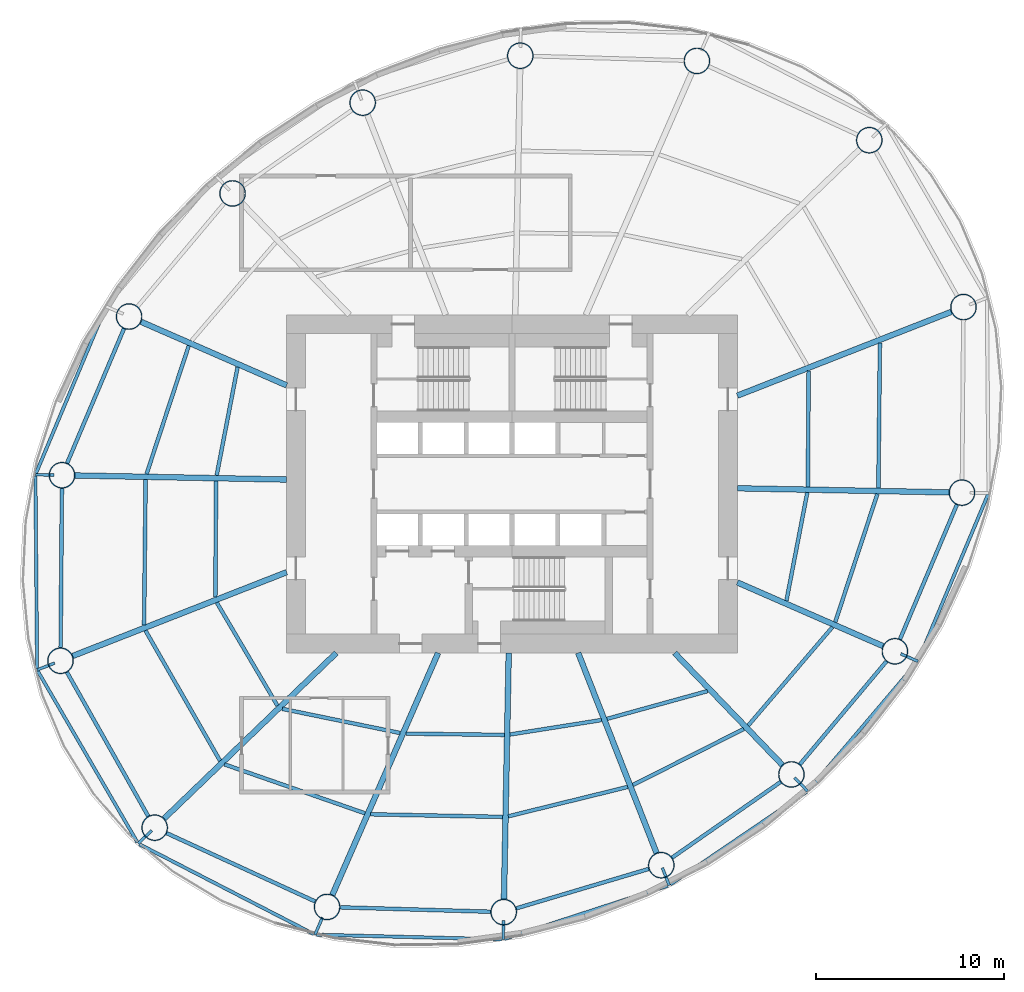
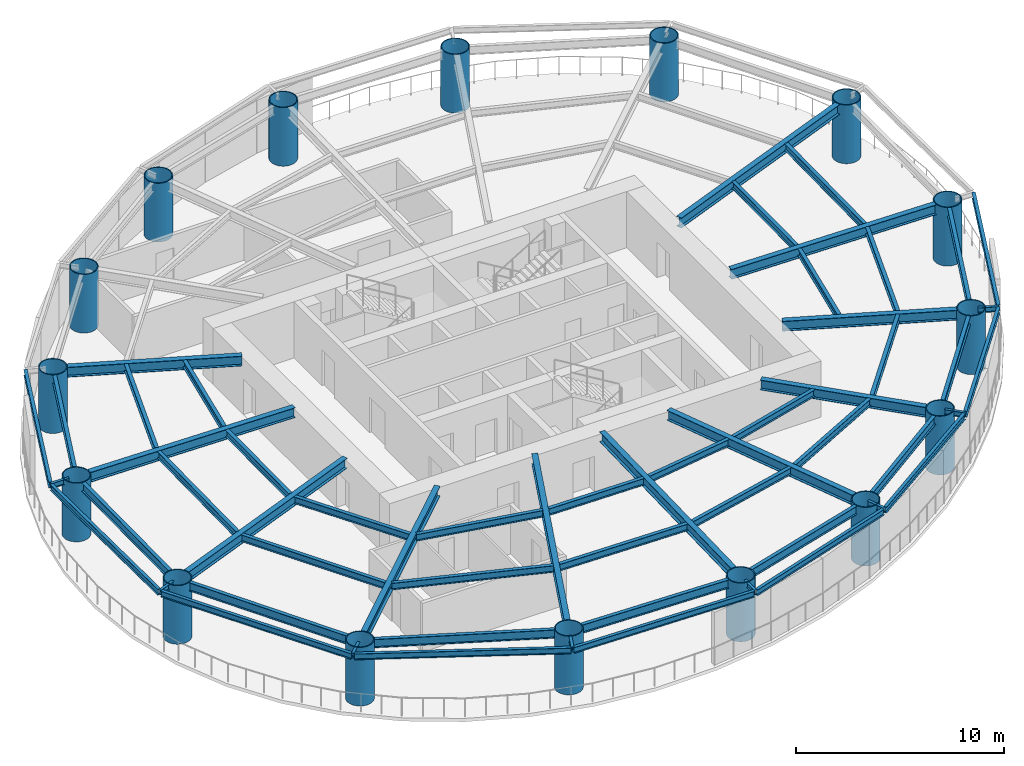
# One storey, part 1 of 8: 56 beams, 16 columns.
"""IFC4 building model written with IfcOpenShell, lengths in metres."""

from ifc_helpers import new_model, si_unit, direction, frame, origin, origin_2d, place, context, subcontext, project, spatial, hollow_circle, i_section, extrude, material, material_profile, profile_set, type_object, element, save


model = new_model("IFC4")

# Units and contexts
model_context = context("Model", 3, precision=1e-05, world=origin(), true_north=direction((0.0, 1.0)))
body_context = subcontext(model_context, "Body", "Model", "MODEL_VIEW")
ifc_project = project(units=[si_unit("LENGTHUNIT", "METRE"), si_unit("AREAUNIT", "SQUARE_METRE"), si_unit("VOLUMEUNIT", "CUBIC_METRE"), si_unit("PLANEANGLEUNIT", "RADIAN"), si_unit("MASSUNIT", "GRAM", prefix="KILO")], contexts=[model_context])

# Site, building, storey
site_placement = place(None, origin())
site = spatial("IfcSite", under=ifc_project, at=site_placement, CompositionType="ELEMENT")
building_placement = place(site_placement, origin())
building = spatial("IfcBuilding", under=site, at=building_placement, Name="Vermilion Reach Broadcast Tower", CompositionType="ELEMENT")
storey_placement = place(building_placement, frame((0.0, 0.0, 179.39990234375)))
storey = spatial("IfcBuildingStorey", under=building, at=storey_placement, Name="L43", CompositionType="ELEMENT", Elevation=179.39990234375)

# Columns
ifc_material_1 = material(Name="Concrete C70 infill in steel S460NL tube", Category="concrete")
ifc_material_profile_1 = material_profile(ifc_material_1, hollow_circle(Radius=0.699951171875, WallThickness=0.050048828125, at=origin_2d()), Name="Concrete C70 infill in steel S460NL tube CFT 1400x50")
ifc_profile_set_1 = profile_set([ifc_material_profile_1], Name="Concrete C70 infill in steel S460NL tube")
column_type = type_object("IfcColumnType", Name="MC3 CFT 1400x50", PredefinedType="COLUMN", material=ifc_profile_set_1)
for number, where, z_axis, x_axis, name in (
    (1, (13.02587890625, 18.302734375, 0.0), (0.0, 0.0, 1.0), (1.0, 0.0, 0.0), "Mega-column MC3-01"),
    (2, (3.84521484375, 22.524169921875, 0.0), (0.0, 0.0, 1.0), (1.0, 0.0, 0.0), "Mega-column MC3-02"),
    (3, (-5.558349609375, 22.800048828125, 0.0), (0.0, 0.0, 1.0), (1.0, 0.0, 0.0), "Mega-column MC3-03"),
    (4, (-13.95166015625, 20.30078125, 0.0), (0.0, 0.0, 1.0), (1.0, 0.0, 0.0), "Mega-column MC3-04"),
    (5, (-20.879150390625, 15.46728515625, 0.0), (0.0, 0.0, 1.0), (1.0, 0.0, 0.0), "Mega-column MC3-05"),
    (6, (-26.38818359375, 8.91162109375, 0.0), (0.0, 0.0, 1.0), (1.0, 0.0, 0.0), "Mega-column MC3-06"),
    (7, (-29.95947265625, 0.464111328125, 0.0), (0.0, 0.0, 1.0), (1.0, 0.0, 0.0), "Mega-column MC3-07"),
    (8, (-30.04052734375, -9.41650390625, 0.0), (0.0, 0.0, 1.0), (1.0, 0.0, 0.0), "Mega-column MC3-08"),
    (9, (-25.02587890625, -18.302734375, 0.0), (0.0, 0.0, 1.0), (1.0, 0.0, 0.0), "Mega-column MC3-09"),
    (10, (-15.84521484375, -22.524169921875, 0.0), (0.0, 0.0, 1.0), (1.0, 0.0, 0.0), "Mega-column MC3-10"),
    (11, (-6.441650390625, -22.800048828125, 0.0), (0.0, 0.0, 1.0), (1.0, 0.0, 0.0), "Mega-column MC3-11"),
    (12, (1.95166015625, -20.30078125, 0.0), (0.0, 0.0, 1.0), (1.0, 0.0, 0.0), "Mega-column MC3-12"),
    (13, (8.879150390625, -15.46728515625, 0.0), (0.0, 0.0, 1.0), (1.0, 0.0, 0.0), "Mega-column MC3-13"),
    (14, (14.38818359375, -8.91162109375, 0.0), (0.0, 0.0, 1.0), (1.0, 0.0, 0.0), "Mega-column MC3-14"),
    (15, (17.95947265625, -0.464111328125, 0.0), (0.0, 0.0, 1.0), (1.0, 0.0, 0.0), "Mega-column MC3-15"),
    (16, (18.04052734375, 9.41650390625, 0.0), (0.0, 0.0, 1.0), (1.0, 0.0, 0.0), "Mega-column MC3-16"),
):
    element("IfcColumn", number, at=place(storey_placement, frame(where, z_axis=z_axis, x_axis=x_axis)), inside=storey, type_object=column_type, Name=name, PredefinedType="COLUMN", context=body_context, shape_type="SweptSolid", body=[
        extrude(hollow_circle(Radius=0.699951171875, WallThickness=0.050048828125, at=origin_2d()), origin(), (0.0, 0.0, 1.0), 3.4501953125),
    ])

# Beams
ifc_material_2 = material(Name="Steel S355J2", Category="steel")
ifc_material_profile_2 = material_profile(ifc_material_2, i_section(OverallWidth=0.175048828125, OverallDepth=0.35009765625, WebThickness=0.007080078125, FlangeThickness=0.010986328125, at=origin_2d()), Name="S355J2 HN 350x175x7x11")
ifc_profile_set_2 = profile_set([ifc_material_profile_2], Name="Steel S355J2")
beam_type_1 = type_object("IfcBeamType", Name="EB3 HN 350x175x7x11", PredefinedType="BEAM", material=ifc_profile_set_2)
beam_1_placement = place(storey_placement, frame((-27.64404296875, 9.378662109375, 3.275146484375), z_axis=(-0.387203823388, -0.921994142689, 0.0), x_axis=(0.921994142689, -0.387203823388, 0.0)))
element("IfcBeam", 17, at=beam_1_placement, inside=storey, type_object=beam_type_1, Name="Edge beam EB3-06", PredefinedType="BEAM", context=body_context, shape_type="SweptSolid", body=[
    extrude(i_section(OverallWidth=0.175048828125, OverallDepth=0.35009765625, WebThickness=0.007080078125, FlangeThickness=0.010986328125, at=origin_2d()), origin(), (0.0, 0.0, 1.0), 9.55810546875),
])
beam_2_placement = place(storey_placement, frame((-31.37548828125, 0.416748046875, 3.275146484375), z_axis=(0.008653453372, -0.999962558171, 0.0), x_axis=(0.999962558171, 0.008653453372, 0.0)))
element("IfcBeam", 18, at=beam_2_placement, inside=storey, type_object=beam_type_1, Name="Edge beam EB3-07", PredefinedType="BEAM", context=body_context, shape_type="SweptSolid", body=[
    extrude(i_section(OverallWidth=0.175048828125, OverallDepth=0.35009765625, WebThickness=0.007080078125, FlangeThickness=0.010986328125, at=origin_2d()), origin(), (0.0, 0.0, 1.0), 10.241455078125),
])
beam_3_placement = place(storey_placement, frame((-31.248046875, -9.969970703125, 3.275146484375), z_axis=(0.502826897751, -0.864387130225, 0.0), x_axis=(0.864387130225, 0.502826897751, 0.0)))
element("IfcBeam", 19, at=beam_3_placement, inside=storey, type_object=beam_type_1, Name="Edge beam EB3-08", PredefinedType="BEAM", context=body_context, shape_type="SweptSolid", body=[
    extrude(i_section(OverallWidth=0.175048828125, OverallDepth=0.35009765625, WebThickness=0.007080078125, FlangeThickness=0.010986328125, at=origin_2d()), origin(), (0.0, 0.0, 1.0), 10.5439453125),
])
beam_4_placement = place(storey_placement, frame((-25.8369140625, -19.18701171875, 3.275146484375), z_axis=(0.889016392654, -0.45787536906, 0.0), x_axis=(0.45787536906, 0.889016392654, 0.0)))
element("IfcBeam", 20, at=beam_4_placement, inside=storey, type_object=beam_type_1, Name="Edge beam EB3-09", PredefinedType="BEAM", context=body_context, shape_type="SweptSolid", body=[
    extrude(i_section(OverallWidth=0.175048828125, OverallDepth=0.35009765625, WebThickness=0.007080078125, FlangeThickness=0.010986328125, at=origin_2d()), origin(), (0.0, 0.0, 1.0), 10.43798828125),
])
beam_5_placement = place(storey_placement, frame((-16.40966796875, -24.002685546875, 3.275146484375), z_axis=(0.99968959052, -0.024914305243, 0.0), x_axis=(0.024914305243, 0.99968959052, 0.0)))
element("IfcBeam", 21, at=beam_5_placement, inside=storey, type_object=beam_type_1, Name="Edge beam EB3-10", PredefinedType="BEAM", context=body_context, shape_type="SweptSolid", body=[
    extrude(i_section(OverallWidth=0.175048828125, OverallDepth=0.35009765625, WebThickness=0.007080078125, FlangeThickness=0.010986328125, at=origin_2d()), origin(), (0.0, 0.0, 1.0), 9.867919921875),
])
beam_6_placement = place(storey_placement, frame((-6.394287109375, -24.225830078125, 3.275146484375), z_axis=(0.950873625049, 0.309579310011, 0.0), x_axis=(-0.309579310011, 0.950873625049, 0.0)))
element("IfcBeam", 22, at=beam_6_placement, inside=storey, type_object=beam_type_1, Name="Edge beam EB3-11", PredefinedType="BEAM", context=body_context, shape_type="SweptSolid", body=[
    extrude(i_section(OverallWidth=0.175048828125, OverallDepth=0.35009765625, WebThickness=0.007080078125, FlangeThickness=0.010986328125, at=origin_2d()), origin(), (0.0, 0.0, 1.0), 9.143310546875),
])
beam_7_placement = place(storey_placement, frame((2.434814453125, -21.32861328125, 3.275146484375), z_axis=(0.826972128936, 0.562242917219, 0.0), x_axis=(-0.562242917219, 0.826972128936, 0.0)))
element("IfcBeam", 23, at=beam_7_placement, inside=storey, type_object=beam_type_1, Name="Edge beam EB3-12", PredefinedType="BEAM", context=body_context, shape_type="SweptSolid", body=[
    extrude(i_section(OverallWidth=0.175048828125, OverallDepth=0.35009765625, WebThickness=0.007080078125, FlangeThickness=0.010986328125, at=origin_2d()), origin(), (0.0, 0.0, 1.0), 8.757568359375),
])
beam_8_placement = place(storey_placement, frame((9.788818359375, -16.304443359375, 3.275146484375), z_axis=(0.647521282414, 0.76204736652, 0.0), x_axis=(-0.76204736652, 0.647521282414, 0.0)))
element("IfcBeam", 24, at=beam_8_placement, inside=storey, type_object=beam_type_1, Name="Edge beam EB3-13", PredefinedType="BEAM", context=body_context, shape_type="SweptSolid", body=[
    extrude(i_section(OverallWidth=0.175048828125, OverallDepth=0.35009765625, WebThickness=0.007080078125, FlangeThickness=0.010986328125, at=origin_2d()), origin(), (0.0, 0.0, 1.0), 8.919189453125),
])
beam_9_placement = place(storey_placement, frame((15.64404296875, -9.378662109375, 3.275146484375), z_axis=(0.387203823388, 0.921994142689, 0.0), x_axis=(-0.921994142689, 0.387203823388, 0.0)))
element("IfcBeam", 25, at=beam_9_placement, inside=storey, type_object=beam_type_1, Name="Edge beam EB3-14", PredefinedType="BEAM", context=body_context, shape_type="SweptSolid", body=[
    extrude(i_section(OverallWidth=0.175048828125, OverallDepth=0.35009765625, WebThickness=0.007080078125, FlangeThickness=0.010986328125, at=origin_2d()), origin(), (0.0, 0.0, 1.0), 9.55810546875),
])
ifc_material_3 = material(Name="Steel S355J2", Category="steel")
ifc_material_profile_3 = material_profile(ifc_material_3, i_section(OverallWidth=0.300048828125, OverallDepth=0.587890625, WebThickness=0.011962890625, FlangeThickness=0.02001953125, at=origin_2d()), Name="S355J2 HM 588x300x12x20")
ifc_profile_set_3 = profile_set([ifc_material_profile_3], Name="Steel S355J2")
beam_type_2 = type_object("IfcBeamType", Name="G3 HM 588x300x12x20", PredefinedType="BEAM", material=ifc_profile_set_3)
beam_10_placement = place(storey_placement, frame((-18.0, 5.2451171875, 3.156005859375), z_axis=(-0.916287847036, 0.400520388213, 0.0), x_axis=(-0.400520388213, -0.916287847036, 0.0)))
element("IfcBeam", 26, at=beam_10_placement, inside=storey, type_object=beam_type_2, Name="Girder G3-06", PredefinedType="BEAM", context=body_context, shape_type="SweptSolid", body=[
    extrude(i_section(OverallWidth=0.300048828125, OverallDepth=0.587890625, WebThickness=0.011962890625, FlangeThickness=0.02001953125, at=origin_2d()), origin(), (0.0, 0.0, 1.0), 8.45458984375),
])
beam_11_placement = place(storey_placement, frame((-18.0, 0.232421875, 3.156005859375), z_axis=(-0.999812170888, 0.019380994401, 0.0), x_axis=(-0.019380994401, -0.999812170888, 0.0)))
element("IfcBeam", 27, at=beam_11_placement, inside=storey, type_object=beam_type_2, Name="Girder G3-07", PredefinedType="BEAM", context=body_context, shape_type="SweptSolid", body=[
    extrude(i_section(OverallWidth=0.300048828125, OverallDepth=0.587890625, WebThickness=0.011962890625, FlangeThickness=0.02001953125, at=origin_2d()), origin(), (0.0, 0.0, 1.0), 11.26171875),
])
beam_12_placement = place(storey_placement, frame((-18.0, -4.700439453125, 3.156005859375), z_axis=(-0.931124635714, -0.364701128004, 0.0), x_axis=(0.364701128004, -0.931124635714, 0.0)))
element("IfcBeam", 28, at=beam_12_placement, inside=storey, type_object=beam_type_2, Name="Girder G3-08", PredefinedType="BEAM", context=body_context, shape_type="SweptSolid", body=[
    extrude(i_section(OverallWidth=0.300048828125, OverallDepth=0.587890625, WebThickness=0.011962890625, FlangeThickness=0.02001953125, at=origin_2d()), origin(), (0.0, 0.0, 1.0), 12.231201171875),
])
beam_13_placement = place(storey_placement, frame((-15.355712890625, -9.0, 3.156005859375), z_axis=(-0.720670374476, -0.693277874559, 0.0), x_axis=(0.693277874559, -0.720670374476, 0.0)))
element("IfcBeam", 29, at=beam_13_placement, inside=storey, type_object=beam_type_2, Name="Girder G3-09", PredefinedType="BEAM", context=body_context, shape_type="SweptSolid", body=[
    extrude(i_section(OverallWidth=0.300048828125, OverallDepth=0.587890625, WebThickness=0.011962890625, FlangeThickness=0.02001953125, at=origin_2d()), origin(), (0.0, 0.0, 1.0), 12.718505859375),
])
beam_14_placement = place(storey_placement, frame((-9.933837890625, -9.0, 3.156005859375), z_axis=(-0.400519113205, -0.916288404356, 0.0), x_axis=(0.916288404356, -0.400519113205, 0.0)))
element("IfcBeam", 30, at=beam_14_placement, inside=storey, type_object=beam_type_2, Name="Girder G3-10", PredefinedType="BEAM", context=body_context, shape_type="SweptSolid", body=[
    extrude(i_section(OverallWidth=0.300048828125, OverallDepth=0.587890625, WebThickness=0.011962890625, FlangeThickness=0.02001953125, at=origin_2d()), origin(), (0.0, 0.0, 1.0), 14.0595703125),
])
beam_15_placement = place(storey_placement, frame((-6.17431640625, -9.0, 3.156005859375), z_axis=(-0.019378372481, -0.99981222171, 0.0), x_axis=(0.99981222171, -0.019378372481, 0.0)))
element("IfcBeam", 31, at=beam_15_placement, inside=storey, type_object=beam_type_2, Name="Girder G3-11", PredefinedType="BEAM", context=body_context, shape_type="SweptSolid", body=[
    extrude(i_section(OverallWidth=0.300048828125, OverallDepth=0.587890625, WebThickness=0.011962890625, FlangeThickness=0.02001953125, at=origin_2d()), origin(), (0.0, 0.0, 1.0), 13.1025390625),
])
beam_16_placement = place(storey_placement, frame((-2.474853515625, -9.0, 3.156005859375), z_axis=(0.364715649973, -0.931118947646, 0.0), x_axis=(0.931118947646, 0.364715649973, 0.0)))
element("IfcBeam", 32, at=beam_16_placement, inside=storey, type_object=beam_type_2, Name="Girder G3-12", PredefinedType="BEAM", context=body_context, shape_type="SweptSolid", body=[
    extrude(i_section(OverallWidth=0.300048828125, OverallDepth=0.587890625, WebThickness=0.011962890625, FlangeThickness=0.02001953125, at=origin_2d()), origin(), (0.0, 0.0, 1.0), 11.436767578125),
])
beam_17_placement = place(storey_placement, frame((2.657958984375, -9.0, 3.156005859375), z_axis=(0.693282657492, -0.72066577331, 0.0), x_axis=(0.72066577331, 0.693282657492, 0.0)))
element("IfcBeam", 33, at=beam_17_placement, inside=storey, type_object=beam_type_2, Name="Girder G3-13", PredefinedType="BEAM", context=body_context, shape_type="SweptSolid", body=[
    extrude(i_section(OverallWidth=0.300048828125, OverallDepth=0.587890625, WebThickness=0.011962890625, FlangeThickness=0.02001953125, at=origin_2d()), origin(), (0.0, 0.0, 1.0), 8.273681640625),
])
beam_18_placement = place(storey_placement, frame((6.0, -5.2451171875, 3.156005859375), z_axis=(0.916287847036, -0.400520388213, 0.0), x_axis=(0.400520388213, 0.916287847036, 0.0)))
element("IfcBeam", 34, at=beam_18_placement, inside=storey, type_object=beam_type_2, Name="Girder G3-14", PredefinedType="BEAM", context=body_context, shape_type="SweptSolid", body=[
    extrude(i_section(OverallWidth=0.300048828125, OverallDepth=0.587890625, WebThickness=0.011962890625, FlangeThickness=0.02001953125, at=origin_2d()), origin(), (0.0, 0.0, 1.0), 8.45458984375),
])
beam_19_placement = place(storey_placement, frame((6.0, -0.232421875, 3.156005859375), z_axis=(0.999812170888, -0.019380994401, 0.0), x_axis=(0.019380994401, 0.999812170888, 0.0)))
element("IfcBeam", 35, at=beam_19_placement, inside=storey, type_object=beam_type_2, Name="Girder G3-15", PredefinedType="BEAM", context=body_context, shape_type="SweptSolid", body=[
    extrude(i_section(OverallWidth=0.300048828125, OverallDepth=0.587890625, WebThickness=0.011962890625, FlangeThickness=0.02001953125, at=origin_2d()), origin(), (0.0, 0.0, 1.0), 11.26171875),
])
beam_20_placement = place(storey_placement, frame((6.0, 4.700439453125, 3.156005859375), z_axis=(0.931124635714, 0.364701128004, 0.0), x_axis=(-0.364701128004, 0.931124635714, 0.0)))
element("IfcBeam", 36, at=beam_20_placement, inside=storey, type_object=beam_type_2, Name="Girder G3-16", PredefinedType="BEAM", context=body_context, shape_type="SweptSolid", body=[
    extrude(i_section(OverallWidth=0.300048828125, OverallDepth=0.587890625, WebThickness=0.011962890625, FlangeThickness=0.02001953125, at=origin_2d()), origin(), (0.0, 0.0, 1.0), 12.231201171875),
])
ifc_material_4 = material(Name="Steel S355J2", Category="steel")
ifc_material_profile_4 = material_profile(ifc_material_4, i_section(OverallWidth=0.14990234375, OverallDepth=0.300048828125, WebThickness=0.006591796875, FlangeThickness=0.009033203125, at=origin_2d()), Name="S355J2 HN 300x150x6.5x9")
ifc_profile_set_4 = profile_set([ifc_material_profile_4], Name="Steel S355J2")
beam_type_3 = type_object("IfcBeamType", Name="GS3 HN 300x150x6.5x9", PredefinedType="BEAM", material=ifc_profile_set_4)
for number, where, z_axis, x_axis, name in (
    (37, (-30.376220703125, 0.472412109375, 3.300048828125), (-0.999813964781, 0.019288230334, 0.0), (-0.019288230334, -0.999813964781, 0.0), "Cantilever stub GS3-07"),
    (38, (-30.35498046875, -9.539794921875, 3.300048828125), (-0.931113051526, -0.364730702407, 0.0), (0.364730702407, -0.931113051526, 0.0), "Cantilever stub GS3-08"),
    (39, (-25.186767578125, -18.457275390625, 3.300048828125), (-0.720645397388, -0.693303837595, 0.0), (0.693303837595, -0.720645397388, 0.0), "Cantilever stub GS3-09"),
    (40, (-16.090087890625, -23.08447265625, 3.300048828125), (-0.400626718411, -0.916241361485, 0.0), (0.916241361485, -0.400626718411, 0.0), "Cantilever stub GS3-10"),
    (41, (-6.450439453125, -23.25048828125, 3.300048828125), (-0.019532292583, -0.999809226576, 0.0), (0.999809226576, -0.019532292583, 0.0), "Cantilever stub GS3-11"),
    (42, (2.006591796875, -20.44091796875, 3.300048828125), (0.364730702407, -0.931113051526, 0.0), (0.931113051526, 0.364730702407, 0.0), "Cantilever stub GS3-12"),
    (43, (9.046630859375, -15.641357421875, 3.300048828125), (0.693303837595, -0.720645397388, 0.0), (0.720645397388, 0.693303837595, 0.0), "Cantilever stub GS3-13"),
    (44, (14.69873046875, -9.04736328125, 3.300048828125), (0.916330962408, -0.400421736837, 0.0), (0.400421736837, 0.916330962408, 0.0), "Cantilever stub GS3-14"),
):
    element("IfcBeam", number, at=place(storey_placement, frame(where, z_axis=z_axis, x_axis=x_axis)), inside=storey, type_object=beam_type_3, Name=name, PredefinedType="BEAM", context=body_context, shape_type="SweptSolid", body=[
        extrude(i_section(OverallWidth=0.14990234375, OverallDepth=0.300048828125, WebThickness=0.006591796875, FlangeThickness=0.009033203125, at=origin_2d()), origin(), (0.0, 0.0, 1.0), 1.0),
    ])
ifc_material_5 = material(Name="Steel S355J2", Category="steel")
ifc_material_profile_5 = material_profile(ifc_material_5, i_section(OverallWidth=0.199951171875, OverallDepth=0.5, WebThickness=0.010009765625, FlangeThickness=0.01611328125, at=origin_2d()), Name="S355J2 HN 500x200x10x16")
ifc_profile_set_5 = profile_set([ifc_material_profile_5], Name="Steel S355J2")
beam_type_4 = type_object("IfcBeamType", Name="RB3 HN 500x200x10x16", PredefinedType="BEAM", material=ifc_profile_set_5)
beam_21_placement = place(storey_placement, frame((-26.660888671875, 8.266845703125, 3.2001953125), z_axis=(-0.389368386196, -0.921082113512, 0.0), x_axis=(0.921082113512, -0.389368386196, 0.0)))
element("IfcBeam", 45, at=beam_21_placement, inside=storey, type_object=beam_type_4, Name="Ring beam RB3-06", PredefinedType="BEAM", context=body_context, shape_type="SweptSolid", body=[
    extrude(i_section(OverallWidth=0.199951171875, OverallDepth=0.5, WebThickness=0.010009765625, FlangeThickness=0.01611328125, at=origin_2d()), origin(), (0.0, 0.0, 1.0), 7.771240234375),
])
beam_22_placement = place(storey_placement, frame((-29.965087890625, -0.23583984375, 3.2001953125), z_axis=(-0.008204232036, -0.999966344722, 0.0), x_axis=(0.999966344722, -0.008204232036, 0.0)))
element("IfcBeam", 46, at=beam_22_placement, inside=storey, type_object=beam_type_4, Name="Ring beam RB3-07", PredefinedType="BEAM", context=body_context, shape_type="SweptSolid", body=[
    extrude(i_section(OverallWidth=0.199951171875, OverallDepth=0.5, WebThickness=0.010009765625, FlangeThickness=0.01611328125, at=origin_2d()), origin(), (0.0, 0.0, 1.0), 8.48095703125),
])
beam_23_placement = place(storey_placement, frame((-29.696533203125, -10.026123046875, 3.2001953125), z_axis=(0.491466825026, -0.870896296869, 0.0), x_axis=(0.870896296869, 0.491466825026, 0.0)))
element("IfcBeam", 47, at=beam_23_placement, inside=storey, type_object=beam_type_4, Name="Ring beam RB3-08", PredefinedType="BEAM", context=body_context, shape_type="SweptSolid", body=[
    extrude(i_section(OverallWidth=0.199951171875, OverallDepth=0.5, WebThickness=0.010009765625, FlangeThickness=0.01611328125, at=origin_2d()), origin(), (0.0, 0.0, 1.0), 8.803466796875),
])
beam_24_placement = place(storey_placement, frame((-24.389892578125, -18.594970703125, 3.2001953125), z_axis=(0.908546241769, -0.417784306272, 0.0), x_axis=(0.417784306272, 0.908546241769, 0.0)))
element("IfcBeam", 48, at=beam_24_placement, inside=storey, type_object=beam_type_4, Name="Ring beam RB3-09", PredefinedType="BEAM", context=body_context, shape_type="SweptSolid", body=[
    extrude(i_section(OverallWidth=0.199951171875, OverallDepth=0.5, WebThickness=0.010009765625, FlangeThickness=0.01611328125, at=origin_2d()), origin(), (0.0, 0.0, 1.0), 8.704833984375),
])
beam_25_placement = place(storey_placement, frame((-15.1455078125, -22.544677734375, 3.2001953125), z_axis=(0.999569781146, -0.029330063427, 0.0), x_axis=(0.029330063427, 0.999569781146, 0.0)))
element("IfcBeam", 49, at=beam_25_placement, inside=storey, type_object=beam_type_4, Name="Ring beam RB3-10", PredefinedType="BEAM", context=body_context, shape_type="SweptSolid", body=[
    extrude(i_section(OverallWidth=0.199951171875, OverallDepth=0.5, WebThickness=0.010009765625, FlangeThickness=0.01611328125, at=origin_2d()), origin(), (0.0, 0.0, 1.0), 8.007568359375),
])
beam_26_placement = place(storey_placement, frame((-5.770751953125, -22.60009765625, 3.2001953125), z_axis=(0.958416970322, 0.285371531516, 0.0), x_axis=(-0.285371531516, 0.958416970322, 0.0)))
element("IfcBeam", 50, at=beam_26_placement, inside=storey, type_object=beam_type_4, Name="Ring beam RB3-11", PredefinedType="BEAM", context=body_context, shape_type="SweptSolid", body=[
    extrude(i_section(OverallWidth=0.199951171875, OverallDepth=0.5, WebThickness=0.010009765625, FlangeThickness=0.01611328125, at=origin_2d()), origin(), (0.0, 0.0, 1.0), 7.357421875),
])
beam_27_placement = place(storey_placement, frame((2.525634765625, -19.900146484375, 3.2001953125), z_axis=(0.820111453349, 0.572203813415, 0.0), x_axis=(-0.572203813415, 0.820111453349, 0.0)))
element("IfcBeam", 51, at=beam_27_placement, inside=storey, type_object=beam_type_4, Name="Ring beam RB3-12", PredefinedType="BEAM", context=body_context, shape_type="SweptSolid", body=[
    extrude(i_section(OverallWidth=0.199951171875, OverallDepth=0.5, WebThickness=0.010009765625, FlangeThickness=0.01611328125, at=origin_2d()), origin(), (0.0, 0.0, 1.0), 7.04736328125),
])
beam_28_placement = place(storey_placement, frame((9.32958984375, -14.931396484375, 3.2001953125), z_axis=(0.643350337931, 0.765571905626, 0.0), x_axis=(-0.765571905626, 0.643350337931, 0.0)))
element("IfcBeam", 52, at=beam_28_placement, inside=storey, type_object=beam_type_4, Name="Ring beam RB3-13", PredefinedType="BEAM", context=body_context, shape_type="SweptSolid", body=[
    extrude(i_section(OverallWidth=0.199951171875, OverallDepth=0.5, WebThickness=0.010009765625, FlangeThickness=0.01611328125, at=origin_2d()), origin(), (0.0, 0.0, 1.0), 7.1630859375),
])
beam_29_placement = place(storey_placement, frame((14.660888671875, -8.266845703125, 3.2001953125), z_axis=(0.389368386196, 0.921082113512, 0.0), x_axis=(-0.921082113512, 0.389368386196, 0.0)))
element("IfcBeam", 53, at=beam_29_placement, inside=storey, type_object=beam_type_4, Name="Ring beam RB3-14", PredefinedType="BEAM", context=body_context, shape_type="SweptSolid", body=[
    extrude(i_section(OverallWidth=0.199951171875, OverallDepth=0.5, WebThickness=0.010009765625, FlangeThickness=0.01611328125, at=origin_2d()), origin(), (0.0, 0.0, 1.0), 7.771240234375),
])
ifc_material_6 = material(Name="Steel S355J2", Category="steel")
ifc_material_profile_6 = material_profile(ifc_material_6, i_section(OverallWidth=0.199951171875, OverallDepth=0.39990234375, WebThickness=0.008056640625, FlangeThickness=0.012939453125, at=origin_2d()), Name="S355J2 HN 400x200x8x13")
ifc_profile_set_6 = profile_set([ifc_material_profile_6], Name="Steel S355J2")
beam_type_5 = type_object("IfcBeamType", Name="SB3 HN 400x200x8x13", PredefinedType="BEAM", material=ifc_profile_set_6)
beam_30_placement = place(storey_placement, frame((-20.611328125, 6.222900390625, 3.25), z_axis=(-0.189462365782, -0.981887983404, 0.0), x_axis=(0.981887983404, -0.189462365782, 0.0)))
element("IfcBeam", 54, at=beam_30_placement, inside=storey, type_object=beam_type_5, Name="Secondary beam SB3-06-1", PredefinedType="BEAM", context=body_context, shape_type="SweptSolid", body=[
    extrude(i_section(OverallWidth=0.199951171875, OverallDepth=0.39990234375, WebThickness=0.008056640625, FlangeThickness=0.012939453125, at=origin_2d()), origin(), (0.0, 0.0, 1.0), 5.874755859375),
])
beam_31_placement = place(storey_placement, frame((-23.211669921875, 7.359375, 3.25), z_axis=(-0.312243016281, -0.950002262515, 0.0), x_axis=(0.950002262515, -0.312243016281, 0.0)))
element("IfcBeam", 55, at=beam_31_placement, inside=storey, type_object=beam_type_5, Name="Secondary beam SB3-06-2", PredefinedType="BEAM", context=body_context, shape_type="SweptSolid", body=[
    extrude(i_section(OverallWidth=0.199951171875, OverallDepth=0.39990234375, WebThickness=0.008056640625, FlangeThickness=0.012939453125, at=origin_2d()), origin(), (0.0, 0.0, 1.0), 7.19189453125),
])
beam_32_placement = place(storey_placement, frame((-21.754150390625, 0.1552734375, 3.25), z_axis=(-0.006635449147, -0.999977985165, 0.0), x_axis=(0.999977985165, -0.006635449147, 0.0)))
element("IfcBeam", 56, at=beam_32_placement, inside=storey, type_object=beam_type_5, Name="Secondary beam SB3-07-1", PredefinedType="BEAM", context=body_context, shape_type="SweptSolid", body=[
    extrude(i_section(OverallWidth=0.199951171875, OverallDepth=0.39990234375, WebThickness=0.008056640625, FlangeThickness=0.012939453125, at=origin_2d()), origin(), (0.0, 0.0, 1.0), 6.181396484375),
])
beam_33_placement = place(storey_placement, frame((-25.508056640625, 0.22802734375, 3.25), z_axis=(-0.010691708672, -0.999942842049, 0.0), x_axis=(0.999942842049, -0.010691708672, 0.0)))
element("IfcBeam", 57, at=beam_33_placement, inside=storey, type_object=beam_type_5, Name="Secondary beam SB3-07-2", PredefinedType="BEAM", context=body_context, shape_type="SweptSolid", body=[
    extrude(i_section(OverallWidth=0.199951171875, OverallDepth=0.39990234375, WebThickness=0.008056640625, FlangeThickness=0.012939453125, at=origin_2d()), origin(), (0.0, 0.0, 1.0), 7.740966796875),
])
beam_34_placement = place(storey_placement, frame((-21.71923828125, -6.318115234375, 3.25), z_axis=(0.507249643612, -0.861799163991, 0.0), x_axis=(0.861799163991, 0.507249643612, 0.0)))
element("IfcBeam", 58, at=beam_34_placement, inside=storey, type_object=beam_type_5, Name="Secondary beam SB3-08-1", PredefinedType="BEAM", context=body_context, shape_type="SweptSolid", body=[
    extrude(i_section(OverallWidth=0.199951171875, OverallDepth=0.39990234375, WebThickness=0.008056640625, FlangeThickness=0.012939453125, at=origin_2d()), origin(), (0.0, 0.0, 1.0), 6.3681640625),
])
beam_35_placement = place(storey_placement, frame((-25.51708984375, -7.805908203125, 3.25), z_axis=(0.497026503115, -0.867735360119, 0.0), x_axis=(0.867735360119, 0.497026503115, 0.0)))
element("IfcBeam", 59, at=beam_35_placement, inside=storey, type_object=beam_type_5, Name="Secondary beam SB3-08-2", PredefinedType="BEAM", context=body_context, shape_type="SweptSolid", body=[
    extrude(i_section(OverallWidth=0.199951171875, OverallDepth=0.39990234375, WebThickness=0.008056640625, FlangeThickness=0.012939453125, at=origin_2d()), origin(), (0.0, 0.0, 1.0), 7.995849609375),
])
beam_36_placement = place(storey_placement, frame((-18.232666015625, -11.975830078125, 3.25), z_axis=(0.97956765607, -0.201114910391, 0.0), x_axis=(0.201114910391, 0.97956765607, 0.0)))
element("IfcBeam", 60, at=beam_36_placement, inside=storey, type_object=beam_type_5, Name="Secondary beam SB3-09-1", PredefinedType="BEAM", context=body_context, shape_type="SweptSolid", body=[
    extrude(i_section(OverallWidth=0.199951171875, OverallDepth=0.39990234375, WebThickness=0.008056640625, FlangeThickness=0.012939453125, at=origin_2d()), origin(), (0.0, 0.0, 1.0), 6.40234375),
])
beam_37_placement = place(storey_placement, frame((-21.307373046875, -14.93359375, 3.25), z_axis=(0.94431696779, -0.329037177754, 0.0), x_axis=(0.329037177754, 0.94431696779, 0.0)))
element("IfcBeam", 61, at=beam_37_placement, inside=storey, type_object=beam_type_5, Name="Secondary beam SB3-09-2", PredefinedType="BEAM", context=body_context, shape_type="SweptSolid", body=[
    extrude(i_section(OverallWidth=0.199951171875, OverallDepth=0.39990234375, WebThickness=0.008056640625, FlangeThickness=0.012939453125, at=origin_2d()), origin(), (0.0, 0.0, 1.0), 7.91845703125),
])
beam_38_placement = place(storey_placement, frame((-11.648193359375, -13.29638671875, 3.25), z_axis=(0.999914891843, -0.013046419838, 0.0), x_axis=(0.013046419838, 0.999914891843, 0.0)))
element("IfcBeam", 62, at=beam_38_placement, inside=storey, type_object=beam_type_5, Name="Secondary beam SB3-10-1", PredefinedType="BEAM", context=body_context, shape_type="SweptSolid", body=[
    extrude(i_section(OverallWidth=0.199951171875, OverallDepth=0.39990234375, WebThickness=0.008056640625, FlangeThickness=0.012939453125, at=origin_2d()), origin(), (0.0, 0.0, 1.0), 5.23974609375),
])
beam_39_placement = place(storey_placement, frame((-13.525634765625, -17.591552734375, 3.25), z_axis=(0.999804929321, -0.019751033045, 0.0), x_axis=(0.019751033045, 0.999804929321, 0.0)))
element("IfcBeam", 63, at=beam_39_placement, inside=storey, type_object=beam_type_5, Name="Secondary beam SB3-10-2", PredefinedType="BEAM", context=body_context, shape_type="SweptSolid", body=[
    extrude(i_section(OverallWidth=0.199951171875, OverallDepth=0.39990234375, WebThickness=0.008056640625, FlangeThickness=0.012939453125, at=origin_2d()), origin(), (0.0, 0.0, 1.0), 7.033447265625),
])
beam_40_placement = place(storey_placement, frame((-6.1083984375, -13.343017578125, 3.25), z_axis=(0.987756142208, 0.15600578044, 0.0), x_axis=(-0.15600578044, 0.987756142208, 0.0)))
element("IfcBeam", 64, at=beam_40_placement, inside=storey, type_object=beam_type_5, Name="Secondary beam SB3-11-1", PredefinedType="BEAM", context=body_context, shape_type="SweptSolid", body=[
    extrude(i_section(OverallWidth=0.199951171875, OverallDepth=0.39990234375, WebThickness=0.008056640625, FlangeThickness=0.012939453125, at=origin_2d()), origin(), (0.0, 0.0, 1.0), 4.9326171875),
])
beam_41_placement = place(storey_placement, frame((-6.19287109375, -17.6962890625, 3.25), z_axis=(0.971111691931, 0.238625400566, 0.0), x_axis=(-0.238625400566, 0.971111691931, 0.0)))
element("IfcBeam", 65, at=beam_41_placement, inside=storey, type_object=beam_type_5, Name="Secondary beam SB3-11-2", PredefinedType="BEAM", context=body_context, shape_type="SweptSolid", body=[
    extrude(i_section(OverallWidth=0.199951171875, OverallDepth=0.39990234375, WebThickness=0.008056640625, FlangeThickness=0.012939453125, at=origin_2d()), origin(), (0.0, 0.0, 1.0), 6.540771484375),
])
beam_42_placement = place(storey_placement, frame((-0.93896484375, -12.509521484375, 3.25), z_axis=(0.963889790258, 0.266301468708, 0.0), x_axis=(-0.266301468708, 0.963889790258, 0.0)))
element("IfcBeam", 66, at=beam_42_placement, inside=storey, type_object=beam_type_5, Name="Secondary beam SB3-12-1", PredefinedType="BEAM", context=body_context, shape_type="SweptSolid", body=[
    extrude(i_section(OverallWidth=0.199951171875, OverallDepth=0.39990234375, WebThickness=0.008056640625, FlangeThickness=0.012939453125, at=origin_2d()), origin(), (0.0, 0.0, 1.0), 5.544677734375),
])
beam_43_placement = place(storey_placement, frame((0.4404296875, -16.03125, 3.25), z_axis=(0.892320561657, 0.451402276516, 0.0), x_axis=(-0.451402276516, 0.892320561657, 0.0)))
element("IfcBeam", 67, at=beam_43_placement, inside=storey, type_object=beam_type_5, Name="Secondary beam SB3-12-2", PredefinedType="BEAM", context=body_context, shape_type="SweptSolid", body=[
    extrude(i_section(OverallWidth=0.199951171875, OverallDepth=0.39990234375, WebThickness=0.008056640625, FlangeThickness=0.012939453125, at=origin_2d()), origin(), (0.0, 0.0, 1.0), 6.613525390625),
])
beam_44_placement = place(storey_placement, frame((6.579833984375, -12.860595703125, 3.25), z_axis=(0.650167134505, 0.759791219487, 0.0), x_axis=(-0.759791219487, 0.650167134505, 0.0)))
element("IfcBeam", 68, at=beam_44_placement, inside=storey, type_object=beam_type_5, Name="Secondary beam SB3-13-2", PredefinedType="BEAM", context=body_context, shape_type="SweptSolid", body=[
    extrude(i_section(OverallWidth=0.199951171875, OverallDepth=0.39990234375, WebThickness=0.008056640625, FlangeThickness=0.012939453125, at=origin_2d()), origin(), (0.0, 0.0, 1.0), 6.89501953125),
])
beam_45_placement = place(storey_placement, frame((8.611328125, -6.222900390625, 3.25), z_axis=(0.189462365782, 0.981887983404, 0.0), x_axis=(-0.981887983404, 0.189462365782, 0.0)))
element("IfcBeam", 69, at=beam_45_placement, inside=storey, type_object=beam_type_5, Name="Secondary beam SB3-14-1", PredefinedType="BEAM", context=body_context, shape_type="SweptSolid", body=[
    extrude(i_section(OverallWidth=0.199951171875, OverallDepth=0.39990234375, WebThickness=0.008056640625, FlangeThickness=0.012939453125, at=origin_2d()), origin(), (0.0, 0.0, 1.0), 5.874755859375),
])
beam_46_placement = place(storey_placement, frame((11.211669921875, -7.359375, 3.25), z_axis=(0.312243016281, 0.950002262515, 0.0), x_axis=(-0.950002262515, 0.312243016281, 0.0)))
element("IfcBeam", 70, at=beam_46_placement, inside=storey, type_object=beam_type_5, Name="Secondary beam SB3-14-2", PredefinedType="BEAM", context=body_context, shape_type="SweptSolid", body=[
    extrude(i_section(OverallWidth=0.199951171875, OverallDepth=0.39990234375, WebThickness=0.008056640625, FlangeThickness=0.012939453125, at=origin_2d()), origin(), (0.0, 0.0, 1.0), 7.19189453125),
])
beam_47_placement = place(storey_placement, frame((9.754150390625, -0.1552734375, 3.25), z_axis=(0.006635449147, 0.999977985165, 0.0), x_axis=(-0.999977985165, 0.006635449147, 0.0)))
element("IfcBeam", 71, at=beam_47_placement, inside=storey, type_object=beam_type_5, Name="Secondary beam SB3-15-1", PredefinedType="BEAM", context=body_context, shape_type="SweptSolid", body=[
    extrude(i_section(OverallWidth=0.199951171875, OverallDepth=0.39990234375, WebThickness=0.008056640625, FlangeThickness=0.012939453125, at=origin_2d()), origin(), (0.0, 0.0, 1.0), 6.181396484375),
])
beam_48_placement = place(storey_placement, frame((13.508056640625, -0.22802734375, 3.25), z_axis=(0.010691708672, 0.999942842049, 0.0), x_axis=(-0.999942842049, 0.010691708672, 0.0)))
element("IfcBeam", 72, at=beam_48_placement, inside=storey, type_object=beam_type_5, Name="Secondary beam SB3-15-2", PredefinedType="BEAM", context=body_context, shape_type="SweptSolid", body=[
    extrude(i_section(OverallWidth=0.199951171875, OverallDepth=0.39990234375, WebThickness=0.008056640625, FlangeThickness=0.012939453125, at=origin_2d()), origin(), (0.0, 0.0, 1.0), 7.740966796875),
])

save(model, "model.ifc")
